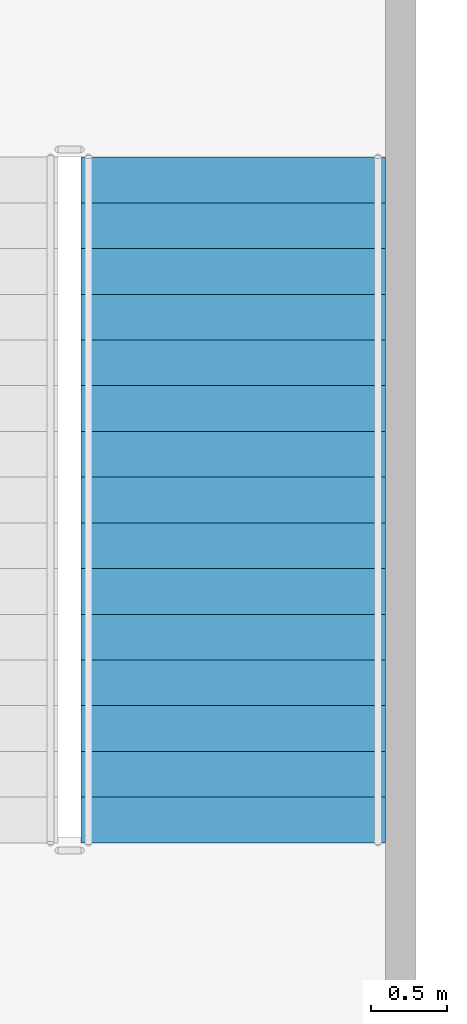
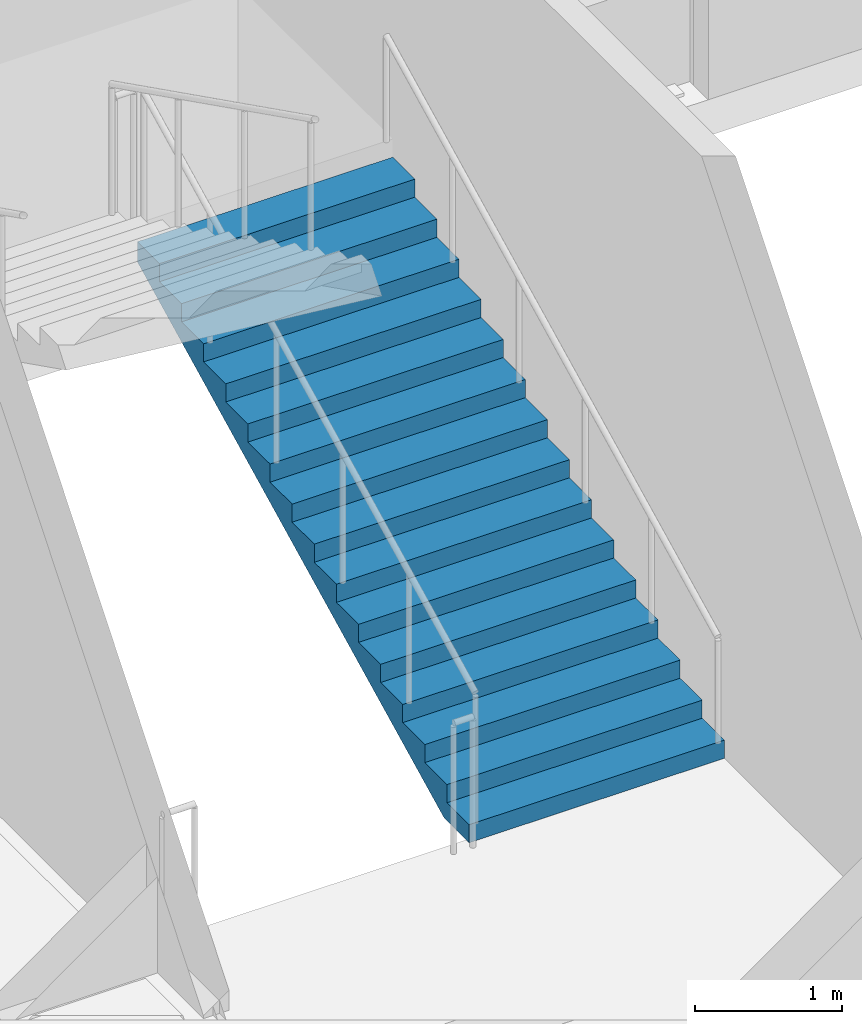
# One storey, part 43 of 91: 1 stair flight, 1 element without a shape of its own.
"""IFC4 building model written with IfcOpenShell, lengths in metres."""

from ifc_helpers import new_model, si_unit, direction, frame, origin, place, context, subcontext, project, spatial, faceted_brep, material, type_object, element, aggregate, save


model = new_model("IFC4")

# Units and contexts
model_context = context("Model", 3, precision=1e-05, world=origin(), true_north=direction((0.0, 1.0)))
body_context = subcontext(model_context, "Body", "Model", "MODEL_VIEW")
ifc_project = project(units=[si_unit("LENGTHUNIT", "METRE"), si_unit("AREAUNIT", "SQUARE_METRE"), si_unit("VOLUMEUNIT", "CUBIC_METRE"), si_unit("PLANEANGLEUNIT", "RADIAN"), si_unit("MASSUNIT", "GRAM", prefix="KILO")], contexts=[model_context])

# Site, building, storey
site_placement = place(None, origin())
site = spatial("IfcSite", under=ifc_project, at=site_placement, CompositionType="ELEMENT")
building_placement = place(site_placement, origin())
building = spatial("IfcBuilding", under=site, at=building_placement, Name="Kiln Court Media Centre", CompositionType="ELEMENT")
storey_placement = place(building_placement, frame((0.0, 0.0, 5.39990234375)))
storey = spatial("IfcBuildingStorey", under=building, at=storey_placement, Name="L01", CompositionType="ELEMENT", Elevation=5.39990234375)

# Stair, stair flight
ifc_material_1 = material(Name="Concrete C40/50", Category="concrete")
stair_type = type_object("IfcStairType", Name="Concrete C40/50 dog-leg stair 2000 wide, 150 riser", PredefinedType="HALF_TURN_STAIR", material=ifc_material_1)
stair_placement = place(storey_placement, origin())
stair = element("IfcStair", 1, at=stair_placement, inside=storey, type_object=stair_type, Name="ST-05 L01", PredefinedType="HALF_TURN_STAIR")
ifc_material_2 = material(Name="Concrete C40/50", Category="concrete")
stair_flight_type = type_object("IfcStairFlightType", Name="Concrete C40/50 stair flight 2000 wide, 150 riser, 300 going", PredefinedType="STRAIGHT", material=ifc_material_2)
stair_flight_placement = place(storey_placement, frame((57.60009765625, 18.39990234375, 0.0), z_axis=(0.0, 0.0, 1.0), x_axis=(0.0, 1.0, 0.0)))
stair_flight = element("IfcStairFlight", 2, at=stair_flight_placement, type_object=stair_flight_type, Name="L01-ST-5004 flight 5008", NumberOfRisers=16, NumberOfTreads=15, PredefinedType="STRAIGHT", RiserHeight=0.15, TreadLength=0.3, context=body_context, shape_type="Brep", body=[
    faceted_brep([(0.335205078125, -1.0, 0.0), (4.5, -1.0, 2.08251953125), (4.5, -1.0, 2.25), (4.199951171875, -1.0, 2.25), (4.199951171875, -1.0, 2.10009765625), (3.89990234375, -1.0, 2.10009765625), (3.89990234375, -1.0, 1.949951171875), (3.60009765625, -1.0, 1.949951171875), (3.60009765625, -1.0, 1.800048828125), (3.300048828125, -1.0, 1.800048828125), (3.300048828125, -1.0, 1.64990234375), (3.0, -1.0, 1.64990234375), (3.0, -1.0, 1.5), (2.699951171875, -1.0, 1.5), (2.699951171875, -1.0, 1.35009765625), (2.39990234375, -1.0, 1.35009765625), (2.39990234375, -1.0, 1.199951171875), (2.10009765625, -1.0, 1.199951171875), (2.10009765625, -1.0, 1.050048828125), (1.800048828125, -1.0, 1.050048828125), (1.800048828125, -1.0, 0.89990234375), (1.5, -1.0, 0.89990234375), (1.5, -1.0, 0.75), (1.199951171875, -1.0, 0.75), (1.199951171875, -1.0, 0.60009765625), (0.89990234375, -1.0, 0.60009765625), (0.89990234375, -1.0, 0.449951171875), (0.60009765625, -1.0, 0.449951171875), (0.60009765625, -1.0, 0.300048828125), (0.300048828125, -1.0, 0.300048828125), (0.300048828125, -1.0, 0.14990234375), (0.0, -1.0, 0.14990234375), (0.0, -1.0, 0.0), (0.0, 1.0, 0.0), (0.0, 1.0, 0.14990234375), (0.300048828125, 1.0, 0.14990234375), (0.300048828125, 1.0, 0.300048828125), (0.60009765625, 1.0, 0.300048828125), (0.60009765625, 1.0, 0.449951171875), (0.89990234375, 1.0, 0.449951171875), (0.89990234375, 1.0, 0.60009765625), (1.199951171875, 1.0, 0.60009765625), (1.199951171875, 1.0, 0.75), (1.5, 1.0, 0.75), (1.5, 1.0, 0.89990234375), (1.800048828125, 1.0, 0.89990234375), (1.800048828125, 1.0, 1.050048828125), (2.10009765625, 1.0, 1.050048828125), (2.10009765625, 1.0, 1.199951171875), (2.39990234375, 1.0, 1.199951171875), (2.39990234375, 1.0, 1.35009765625), (2.699951171875, 1.0, 1.35009765625), (2.699951171875, 1.0, 1.5), (3.0, 1.0, 1.5), (3.0, 1.0, 1.64990234375), (3.300048828125, 1.0, 1.64990234375), (3.300048828125, 1.0, 1.800048828125), (3.60009765625, 1.0, 1.800048828125), (3.60009765625, 1.0, 1.949951171875), (3.89990234375, 1.0, 1.949951171875), (3.89990234375, 1.0, 2.10009765625), (4.199951171875, 1.0, 2.10009765625), (4.199951171875, 1.0, 2.25), (4.5, 1.0, 2.25), (4.5, 1.0, 2.08251953125), (0.335205078125, 1.0, 0.0), (4.5, 0.10009765625, 2.08251953125), (0.335205078125, 0.10009765625, 0.0), (4.5, 0.080078125, 2.08251953125), (0.335205078125, 0.080078125, 0.0), (4.5, 0.06005859375, 2.08251953125), (0.335205078125, 0.06005859375, 0.0), (4.5, 0.0400390625, 2.08251953125), (0.335205078125, 0.0400390625, 0.0), (4.5, 0.02001953125, 2.08251953125), (0.335205078125, 0.02001953125, 0.0), (4.5, 0.0, 2.08251953125), (0.335205078125, 0.0, 0.0), (4.5, -0.02001953125, 2.08251953125), (0.335205078125, -0.02001953125, 0.0), (4.5, -0.0400390625, 2.08251953125), (0.335205078125, -0.0400390625, 0.0), (4.5, -0.06005859375, 2.08251953125), (0.335205078125, -0.06005859375, 0.0), (4.5, -0.080078125, 2.08251953125), (0.335205078125, -0.080078125, 0.0), (4.5, -0.10009765625, 2.08251953125), (0.335205078125, -0.10009765625, 0.0), (4.5, 0.10009765625, 2.25), (4.5, 0.080078125, 2.25), (4.5, 0.06005859375, 2.25), (4.5, 0.0400390625, 2.25), (4.5, 0.02001953125, 2.25), (4.5, 0.0, 2.25), (4.5, -0.02001953125, 2.25), (4.5, -0.0400390625, 2.25), (4.5, -0.06005859375, 2.25), (4.5, -0.080078125, 2.25), (4.5, -0.10009765625, 2.25), (4.199951171875, 0.10009765625, 2.25), (4.199951171875, 0.080078125, 2.25), (4.199951171875, 0.06005859375, 2.25), (4.199951171875, 0.0400390625, 2.25), (4.199951171875, 0.02001953125, 2.25), (4.199951171875, 0.0, 2.25), (4.199951171875, -0.02001953125, 2.25), (4.199951171875, -0.0400390625, 2.25), (4.199951171875, -0.06005859375, 2.25), (4.199951171875, -0.080078125, 2.25), (4.199951171875, -0.10009765625, 2.25), (4.199951171875, 0.10009765625, 2.10009765625), (4.199951171875, 0.080078125, 2.10009765625), (4.199951171875, 0.06005859375, 2.10009765625), (4.199951171875, 0.0400390625, 2.10009765625), (4.199951171875, 0.02001953125, 2.10009765625), (4.199951171875, 0.0, 2.10009765625), (4.199951171875, -0.02001953125, 2.10009765625), (4.199951171875, -0.0400390625, 2.10009765625), (4.199951171875, -0.06005859375, 2.10009765625), (4.199951171875, -0.080078125, 2.10009765625), (4.199951171875, -0.10009765625, 2.10009765625), (3.89990234375, 0.10009765625, 2.10009765625), (3.89990234375, 0.080078125, 2.10009765625), (3.89990234375, 0.06005859375, 2.10009765625), (3.89990234375, 0.0400390625, 2.10009765625), (3.89990234375, 0.02001953125, 2.10009765625), (3.89990234375, 0.0, 2.10009765625), (3.89990234375, -0.02001953125, 2.10009765625), (3.89990234375, -0.0400390625, 2.10009765625), (3.89990234375, -0.06005859375, 2.10009765625), (3.89990234375, -0.080078125, 2.10009765625), (3.89990234375, -0.10009765625, 2.10009765625), (3.89990234375, 0.10009765625, 1.949951171875), (3.89990234375, 0.080078125, 1.949951171875), (3.89990234375, 0.06005859375, 1.949951171875), (3.89990234375, 0.0400390625, 1.949951171875), (3.89990234375, 0.02001953125, 1.949951171875), (3.89990234375, 0.0, 1.949951171875), (3.89990234375, -0.02001953125, 1.949951171875), (3.89990234375, -0.0400390625, 1.949951171875), (3.89990234375, -0.06005859375, 1.949951171875), (3.89990234375, -0.080078125, 1.949951171875), (3.89990234375, -0.10009765625, 1.949951171875), (3.60009765625, 0.10009765625, 1.949951171875), (3.60009765625, 0.080078125, 1.949951171875), (3.60009765625, 0.06005859375, 1.949951171875), (3.60009765625, 0.0400390625, 1.949951171875), (3.60009765625, 0.02001953125, 1.949951171875), (3.60009765625, 0.0, 1.949951171875), (3.60009765625, -0.02001953125, 1.949951171875), (3.60009765625, -0.0400390625, 1.949951171875), (3.60009765625, -0.06005859375, 1.949951171875), (3.60009765625, -0.080078125, 1.949951171875), (3.60009765625, -0.10009765625, 1.949951171875), (3.60009765625, 0.10009765625, 1.800048828125), (3.60009765625, 0.080078125, 1.800048828125), (3.60009765625, 0.06005859375, 1.800048828125), (3.60009765625, 0.0400390625, 1.800048828125), (3.60009765625, 0.02001953125, 1.800048828125), (3.60009765625, 0.0, 1.800048828125), (3.60009765625, -0.02001953125, 1.800048828125), (3.60009765625, -0.0400390625, 1.800048828125), (3.60009765625, -0.06005859375, 1.800048828125), (3.60009765625, -0.080078125, 1.800048828125), (3.60009765625, -0.10009765625, 1.800048828125), (3.300048828125, 0.10009765625, 1.800048828125), (3.300048828125, 0.080078125, 1.800048828125), (3.300048828125, 0.06005859375, 1.800048828125), (3.300048828125, 0.0400390625, 1.800048828125), (3.300048828125, 0.02001953125, 1.800048828125), (3.300048828125, 0.0, 1.800048828125), (3.300048828125, -0.02001953125, 1.800048828125), (3.300048828125, -0.0400390625, 1.800048828125), (3.300048828125, -0.06005859375, 1.800048828125), (3.300048828125, -0.080078125, 1.800048828125), (3.300048828125, -0.10009765625, 1.800048828125), (3.300048828125, 0.10009765625, 1.64990234375), (3.300048828125, 0.080078125, 1.64990234375), (3.300048828125, 0.06005859375, 1.64990234375), (3.300048828125, 0.0400390625, 1.64990234375), (3.300048828125, 0.02001953125, 1.64990234375), (3.300048828125, 0.0, 1.64990234375), (3.300048828125, -0.02001953125, 1.64990234375), (3.300048828125, -0.0400390625, 1.64990234375), (3.300048828125, -0.06005859375, 1.64990234375), (3.300048828125, -0.080078125, 1.64990234375), (3.300048828125, -0.10009765625, 1.64990234375), (3.0, 0.10009765625, 1.64990234375), (3.0, 0.080078125, 1.64990234375), (3.0, 0.06005859375, 1.64990234375), (3.0, 0.0400390625, 1.64990234375), (3.0, 0.02001953125, 1.64990234375), (3.0, 0.0, 1.64990234375), (3.0, -0.02001953125, 1.64990234375), (3.0, -0.0400390625, 1.64990234375), (3.0, -0.06005859375, 1.64990234375), (3.0, -0.080078125, 1.64990234375), (3.0, -0.10009765625, 1.64990234375), (3.0, 0.10009765625, 1.5), (3.0, 0.080078125, 1.5), (3.0, 0.06005859375, 1.5), (3.0, 0.0400390625, 1.5), (3.0, 0.02001953125, 1.5), (3.0, 0.0, 1.5), (3.0, -0.02001953125, 1.5), (3.0, -0.0400390625, 1.5), (3.0, -0.06005859375, 1.5), (3.0, -0.080078125, 1.5), (3.0, -0.10009765625, 1.5), (2.699951171875, 0.10009765625, 1.5), (2.699951171875, 0.080078125, 1.5), (2.699951171875, 0.06005859375, 1.5), (2.699951171875, 0.0400390625, 1.5), (2.699951171875, 0.02001953125, 1.5), (2.699951171875, 0.0, 1.5), (2.699951171875, -0.02001953125, 1.5), (2.699951171875, -0.0400390625, 1.5), (2.699951171875, -0.06005859375, 1.5), (2.699951171875, -0.080078125, 1.5), (2.699951171875, -0.10009765625, 1.5), (2.699951171875, 0.10009765625, 1.35009765625), (2.699951171875, 0.080078125, 1.35009765625), (2.699951171875, 0.06005859375, 1.35009765625), (2.699951171875, 0.0400390625, 1.35009765625), (2.699951171875, 0.02001953125, 1.35009765625), (2.699951171875, 0.0, 1.35009765625), (2.699951171875, -0.02001953125, 1.35009765625), (2.699951171875, -0.0400390625, 1.35009765625), (2.699951171875, -0.06005859375, 1.35009765625), (2.699951171875, -0.080078125, 1.35009765625), (2.699951171875, -0.10009765625, 1.35009765625), (2.39990234375, 0.10009765625, 1.35009765625), (2.39990234375, 0.080078125, 1.35009765625), (2.39990234375, 0.06005859375, 1.35009765625), (2.39990234375, 0.0400390625, 1.35009765625), (2.39990234375, 0.02001953125, 1.35009765625), (2.39990234375, 0.0, 1.35009765625), (2.39990234375, -0.02001953125, 1.35009765625), (2.39990234375, -0.0400390625, 1.35009765625), (2.39990234375, -0.06005859375, 1.35009765625), (2.39990234375, -0.080078125, 1.35009765625), (2.39990234375, -0.10009765625, 1.35009765625), (2.39990234375, 0.10009765625, 1.199951171875), (2.39990234375, 0.080078125, 1.199951171875), (2.39990234375, 0.06005859375, 1.199951171875), (2.39990234375, 0.0400390625, 1.199951171875), (2.39990234375, 0.02001953125, 1.199951171875), (2.39990234375, 0.0, 1.199951171875), (2.39990234375, -0.02001953125, 1.199951171875), (2.39990234375, -0.0400390625, 1.199951171875), (2.39990234375, -0.06005859375, 1.199951171875), (2.39990234375, -0.080078125, 1.199951171875), (2.39990234375, -0.10009765625, 1.199951171875), (2.10009765625, 0.10009765625, 1.199951171875), (2.10009765625, 0.080078125, 1.199951171875), (2.10009765625, 0.06005859375, 1.199951171875), (2.10009765625, 0.0400390625, 1.199951171875), (2.10009765625, 0.02001953125, 1.199951171875), (2.10009765625, 0.0, 1.199951171875), (2.10009765625, -0.02001953125, 1.199951171875), (2.10009765625, -0.0400390625, 1.199951171875), (2.10009765625, -0.06005859375, 1.199951171875), (2.10009765625, -0.080078125, 1.199951171875), (2.10009765625, -0.10009765625, 1.199951171875), (2.10009765625, 0.10009765625, 1.050048828125), (2.10009765625, 0.080078125, 1.050048828125), (2.10009765625, 0.06005859375, 1.050048828125), (2.10009765625, 0.0400390625, 1.050048828125), (2.10009765625, 0.02001953125, 1.050048828125), (2.10009765625, 0.0, 1.050048828125), (2.10009765625, -0.02001953125, 1.050048828125), (2.10009765625, -0.0400390625, 1.050048828125), (2.10009765625, -0.06005859375, 1.050048828125), (2.10009765625, -0.080078125, 1.050048828125), (2.10009765625, -0.10009765625, 1.050048828125), (1.800048828125, 0.10009765625, 1.050048828125), (1.800048828125, 0.080078125, 1.050048828125), (1.800048828125, 0.06005859375, 1.050048828125), (1.800048828125, 0.0400390625, 1.050048828125), (1.800048828125, 0.02001953125, 1.050048828125), (1.800048828125, 0.0, 1.050048828125), (1.800048828125, -0.02001953125, 1.050048828125), (1.800048828125, -0.0400390625, 1.050048828125), (1.800048828125, -0.06005859375, 1.050048828125), (1.800048828125, -0.080078125, 1.050048828125), (1.800048828125, -0.10009765625, 1.050048828125), (1.800048828125, 0.10009765625, 0.89990234375), (1.800048828125, 0.080078125, 0.89990234375), (1.800048828125, 0.06005859375, 0.89990234375), (1.800048828125, 0.0400390625, 0.89990234375), (1.800048828125, 0.02001953125, 0.89990234375), (1.800048828125, 0.0, 0.89990234375), (1.800048828125, -0.02001953125, 0.89990234375), (1.800048828125, -0.0400390625, 0.89990234375), (1.800048828125, -0.06005859375, 0.89990234375), (1.800048828125, -0.080078125, 0.89990234375), (1.800048828125, -0.10009765625, 0.89990234375), (1.5, 0.10009765625, 0.89990234375), (1.5, 0.080078125, 0.89990234375), (1.5, 0.06005859375, 0.89990234375), (1.5, 0.0400390625, 0.89990234375), (1.5, 0.02001953125, 0.89990234375), (1.5, 0.0, 0.89990234375), (1.5, -0.02001953125, 0.89990234375), (1.5, -0.0400390625, 0.89990234375), (1.5, -0.06005859375, 0.89990234375), (1.5, -0.080078125, 0.89990234375), (1.5, -0.10009765625, 0.89990234375), (1.5, 0.10009765625, 0.75), (1.5, 0.080078125, 0.75), (1.5, 0.06005859375, 0.75), (1.5, 0.0400390625, 0.75), (1.5, 0.02001953125, 0.75), (1.5, 0.0, 0.75), (1.5, -0.02001953125, 0.75), (1.5, -0.0400390625, 0.75), (1.5, -0.06005859375, 0.75), (1.5, -0.080078125, 0.75), (1.5, -0.10009765625, 0.75), (1.199951171875, 0.10009765625, 0.75), (1.199951171875, 0.080078125, 0.75), (1.199951171875, 0.06005859375, 0.75), (1.199951171875, 0.0400390625, 0.75), (1.199951171875, 0.02001953125, 0.75), (1.199951171875, 0.0, 0.75), (1.199951171875, -0.02001953125, 0.75), (1.199951171875, -0.0400390625, 0.75), (1.199951171875, -0.06005859375, 0.75), (1.199951171875, -0.080078125, 0.75), (1.199951171875, -0.10009765625, 0.75), (1.199951171875, 0.10009765625, 0.60009765625), (1.199951171875, 0.080078125, 0.60009765625), (1.199951171875, 0.06005859375, 0.60009765625), (1.199951171875, 0.0400390625, 0.60009765625), (1.199951171875, 0.02001953125, 0.60009765625), (1.199951171875, 0.0, 0.60009765625), (1.199951171875, -0.02001953125, 0.60009765625), (1.199951171875, -0.0400390625, 0.60009765625), (1.199951171875, -0.06005859375, 0.60009765625), (1.199951171875, -0.080078125, 0.60009765625), (1.199951171875, -0.10009765625, 0.60009765625), (0.89990234375, 0.10009765625, 0.60009765625), (0.89990234375, 0.080078125, 0.60009765625), (0.89990234375, 0.06005859375, 0.60009765625), (0.89990234375, 0.0400390625, 0.60009765625), (0.89990234375, 0.02001953125, 0.60009765625), (0.89990234375, 0.0, 0.60009765625), (0.89990234375, -0.02001953125, 0.60009765625), (0.89990234375, -0.0400390625, 0.60009765625), (0.89990234375, -0.06005859375, 0.60009765625), (0.89990234375, -0.080078125, 0.60009765625), (0.89990234375, -0.10009765625, 0.60009765625), (0.89990234375, 0.10009765625, 0.449951171875), (0.89990234375, 0.080078125, 0.449951171875), (0.89990234375, 0.06005859375, 0.449951171875), (0.89990234375, 0.0400390625, 0.449951171875), (0.89990234375, 0.02001953125, 0.449951171875), (0.89990234375, 0.0, 0.449951171875), (0.89990234375, -0.02001953125, 0.449951171875), (0.89990234375, -0.0400390625, 0.449951171875), (0.89990234375, -0.06005859375, 0.449951171875), (0.89990234375, -0.080078125, 0.449951171875), (0.89990234375, -0.10009765625, 0.449951171875), (0.60009765625, 0.10009765625, 0.449951171875), (0.60009765625, 0.080078125, 0.449951171875), (0.60009765625, 0.06005859375, 0.449951171875), (0.60009765625, 0.0400390625, 0.449951171875), (0.60009765625, 0.02001953125, 0.449951171875), (0.60009765625, 0.0, 0.449951171875), (0.60009765625, -0.02001953125, 0.449951171875), (0.60009765625, -0.0400390625, 0.449951171875), (0.60009765625, -0.06005859375, 0.449951171875), (0.60009765625, -0.080078125, 0.449951171875), (0.60009765625, -0.10009765625, 0.449951171875), (0.60009765625, 0.10009765625, 0.300048828125), (0.60009765625, 0.080078125, 0.300048828125), (0.60009765625, 0.06005859375, 0.300048828125), (0.60009765625, 0.0400390625, 0.300048828125), (0.60009765625, 0.02001953125, 0.300048828125), (0.60009765625, 0.0, 0.300048828125), (0.60009765625, -0.02001953125, 0.300048828125), (0.60009765625, -0.0400390625, 0.300048828125), (0.60009765625, -0.06005859375, 0.300048828125), (0.60009765625, -0.080078125, 0.300048828125), (0.60009765625, -0.10009765625, 0.300048828125), (0.300048828125, 0.10009765625, 0.300048828125), (0.300048828125, 0.080078125, 0.300048828125), (0.300048828125, 0.06005859375, 0.300048828125), (0.300048828125, 0.0400390625, 0.300048828125), (0.300048828125, 0.02001953125, 0.300048828125), (0.300048828125, 0.0, 0.300048828125), (0.300048828125, -0.02001953125, 0.300048828125), (0.300048828125, -0.0400390625, 0.300048828125), (0.300048828125, -0.06005859375, 0.300048828125), (0.300048828125, -0.080078125, 0.300048828125), (0.300048828125, -0.10009765625, 0.300048828125), (0.300048828125, 0.10009765625, 0.14990234375), (0.300048828125, 0.080078125, 0.14990234375), (0.300048828125, 0.06005859375, 0.14990234375), (0.300048828125, 0.0400390625, 0.14990234375), (0.300048828125, 0.02001953125, 0.14990234375), (0.300048828125, 0.0, 0.14990234375), (0.300048828125, -0.02001953125, 0.14990234375), (0.300048828125, -0.0400390625, 0.14990234375), (0.300048828125, -0.06005859375, 0.14990234375), (0.300048828125, -0.080078125, 0.14990234375), (0.300048828125, -0.10009765625, 0.14990234375), (0.0, 0.10009765625, 0.14990234375), (0.0, 0.080078125, 0.14990234375), (0.0, 0.06005859375, 0.14990234375), (0.0, 0.0400390625, 0.14990234375), (0.0, 0.02001953125, 0.14990234375), (0.0, 0.0, 0.14990234375), (0.0, -0.02001953125, 0.14990234375), (0.0, -0.0400390625, 0.14990234375), (0.0, -0.06005859375, 0.14990234375), (0.0, -0.080078125, 0.14990234375), (0.0, -0.10009765625, 0.14990234375), (0.0, 0.10009765625, 0.0), (0.0, 0.080078125, 0.0), (0.0, 0.06005859375, 0.0), (0.0, 0.0400390625, 0.0), (0.0, 0.02001953125, 0.0), (0.0, 0.0, 0.0), (0.0, -0.02001953125, 0.0), (0.0, -0.0400390625, 0.0), (0.0, -0.06005859375, 0.0), (0.0, -0.080078125, 0.0), (0.0, -0.10009765625, 0.0)], [[[0, 1, 2, 3, 4, 5, 6, 7, 8, 9, 10, 11, 12, 13, 14, 15, 16, 17, 18, 19, 20, 21, 22, 23, 24, 25, 26, 27, 28, 29, 30, 31, 32]], [[33, 34, 35, 36, 37, 38, 39, 40, 41, 42, 43, 44, 45, 46, 47, 48, 49, 50, 51, 52, 53, 54, 55, 56, 57, 58, 59, 60, 61, 62, 63, 64, 65]], [[65, 64, 66, 67]], [[67, 66, 68, 69]], [[69, 68, 70, 71]], [[71, 70, 72, 73]], [[73, 72, 74, 75]], [[75, 74, 76, 77]], [[77, 76, 78, 79]], [[79, 78, 80, 81]], [[81, 80, 82, 83]], [[83, 82, 84, 85]], [[85, 84, 86, 87]], [[87, 86, 1, 0]], [[64, 63, 88, 66]], [[66, 88, 89, 68]], [[68, 89, 90, 70]], [[70, 90, 91, 72]], [[72, 91, 92, 74]], [[74, 92, 93, 76]], [[76, 93, 94, 78]], [[78, 94, 95, 80]], [[80, 95, 96, 82]], [[82, 96, 97, 84]], [[84, 97, 98, 86]], [[86, 98, 2, 1]], [[63, 62, 99, 88]], [[88, 99, 100, 89]], [[89, 100, 101, 90]], [[90, 101, 102, 91]], [[91, 102, 103, 92]], [[92, 103, 104, 93]], [[93, 104, 105, 94]], [[94, 105, 106, 95]], [[95, 106, 107, 96]], [[96, 107, 108, 97]], [[97, 108, 109, 98]], [[98, 109, 3, 2]], [[62, 61, 110, 99]], [[99, 110, 111, 100]], [[100, 111, 112, 101]], [[101, 112, 113, 102]], [[102, 113, 114, 103]], [[103, 114, 115, 104]], [[104, 115, 116, 105]], [[105, 116, 117, 106]], [[106, 117, 118, 107]], [[107, 118, 119, 108]], [[108, 119, 120, 109]], [[109, 120, 4, 3]], [[61, 60, 121, 110]], [[110, 121, 122, 111]], [[111, 122, 123, 112]], [[112, 123, 124, 113]], [[113, 124, 125, 114]], [[114, 125, 126, 115]], [[115, 126, 127, 116]], [[116, 127, 128, 117]], [[117, 128, 129, 118]], [[118, 129, 130, 119]], [[119, 130, 131, 120]], [[120, 131, 5, 4]], [[60, 59, 132, 121]], [[121, 132, 133, 122]], [[122, 133, 134, 123]], [[123, 134, 135, 124]], [[124, 135, 136, 125]], [[125, 136, 137, 126]], [[126, 137, 138, 127]], [[127, 138, 139, 128]], [[128, 139, 140, 129]], [[129, 140, 141, 130]], [[130, 141, 142, 131]], [[131, 142, 6, 5]], [[59, 58, 143, 132]], [[132, 143, 144, 133]], [[133, 144, 145, 134]], [[134, 145, 146, 135]], [[135, 146, 147, 136]], [[136, 147, 148, 137]], [[137, 148, 149, 138]], [[138, 149, 150, 139]], [[139, 150, 151, 140]], [[140, 151, 152, 141]], [[141, 152, 153, 142]], [[142, 153, 7, 6]], [[58, 57, 154, 143]], [[143, 154, 155, 144]], [[144, 155, 156, 145]], [[145, 156, 157, 146]], [[146, 157, 158, 147]], [[147, 158, 159, 148]], [[148, 159, 160, 149]], [[149, 160, 161, 150]], [[150, 161, 162, 151]], [[151, 162, 163, 152]], [[152, 163, 164, 153]], [[153, 164, 8, 7]], [[57, 56, 165, 154]], [[154, 165, 166, 155]], [[155, 166, 167, 156]], [[156, 167, 168, 157]], [[157, 168, 169, 158]], [[158, 169, 170, 159]], [[159, 170, 171, 160]], [[160, 171, 172, 161]], [[161, 172, 173, 162]], [[162, 173, 174, 163]], [[163, 174, 175, 164]], [[164, 175, 9, 8]], [[56, 55, 176, 165]], [[165, 176, 177, 166]], [[166, 177, 178, 167]], [[167, 178, 179, 168]], [[168, 179, 180, 169]], [[169, 180, 181, 170]], [[170, 181, 182, 171]], [[171, 182, 183, 172]], [[172, 183, 184, 173]], [[173, 184, 185, 174]], [[174, 185, 186, 175]], [[175, 186, 10, 9]], [[55, 54, 187, 176]], [[176, 187, 188, 177]], [[177, 188, 189, 178]], [[178, 189, 190, 179]], [[179, 190, 191, 180]], [[180, 191, 192, 181]], [[181, 192, 193, 182]], [[182, 193, 194, 183]], [[183, 194, 195, 184]], [[184, 195, 196, 185]], [[185, 196, 197, 186]], [[186, 197, 11, 10]], [[54, 53, 198, 187]], [[187, 198, 199, 188]], [[188, 199, 200, 189]], [[189, 200, 201, 190]], [[190, 201, 202, 191]], [[191, 202, 203, 192]], [[192, 203, 204, 193]], [[193, 204, 205, 194]], [[194, 205, 206, 195]], [[195, 206, 207, 196]], [[196, 207, 208, 197]], [[197, 208, 12, 11]], [[53, 52, 209, 198]], [[198, 209, 210, 199]], [[199, 210, 211, 200]], [[200, 211, 212, 201]], [[201, 212, 213, 202]], [[202, 213, 214, 203]], [[203, 214, 215, 204]], [[204, 215, 216, 205]], [[205, 216, 217, 206]], [[206, 217, 218, 207]], [[207, 218, 219, 208]], [[208, 219, 13, 12]], [[52, 51, 220, 209]], [[209, 220, 221, 210]], [[210, 221, 222, 211]], [[211, 222, 223, 212]], [[212, 223, 224, 213]], [[213, 224, 225, 214]], [[214, 225, 226, 215]], [[215, 226, 227, 216]], [[216, 227, 228, 217]], [[217, 228, 229, 218]], [[218, 229, 230, 219]], [[219, 230, 14, 13]], [[51, 50, 231, 220]], [[220, 231, 232, 221]], [[221, 232, 233, 222]], [[222, 233, 234, 223]], [[223, 234, 235, 224]], [[224, 235, 236, 225]], [[225, 236, 237, 226]], [[226, 237, 238, 227]], [[227, 238, 239, 228]], [[228, 239, 240, 229]], [[229, 240, 241, 230]], [[230, 241, 15, 14]], [[50, 49, 242, 231]], [[231, 242, 243, 232]], [[232, 243, 244, 233]], [[233, 244, 245, 234]], [[234, 245, 246, 235]], [[235, 246, 247, 236]], [[236, 247, 248, 237]], [[237, 248, 249, 238]], [[238, 249, 250, 239]], [[239, 250, 251, 240]], [[240, 251, 252, 241]], [[241, 252, 16, 15]], [[49, 48, 253, 242]], [[242, 253, 254, 243]], [[243, 254, 255, 244]], [[244, 255, 256, 245]], [[245, 256, 257, 246]], [[246, 257, 258, 247]], [[247, 258, 259, 248]], [[248, 259, 260, 249]], [[249, 260, 261, 250]], [[250, 261, 262, 251]], [[251, 262, 263, 252]], [[252, 263, 17, 16]], [[48, 47, 264, 253]], [[253, 264, 265, 254]], [[254, 265, 266, 255]], [[255, 266, 267, 256]], [[256, 267, 268, 257]], [[257, 268, 269, 258]], [[258, 269, 270, 259]], [[259, 270, 271, 260]], [[260, 271, 272, 261]], [[261, 272, 273, 262]], [[262, 273, 274, 263]], [[263, 274, 18, 17]], [[47, 46, 275, 264]], [[264, 275, 276, 265]], [[265, 276, 277, 266]], [[266, 277, 278, 267]], [[267, 278, 279, 268]], [[268, 279, 280, 269]], [[269, 280, 281, 270]], [[270, 281, 282, 271]], [[271, 282, 283, 272]], [[272, 283, 284, 273]], [[273, 284, 285, 274]], [[274, 285, 19, 18]], [[46, 45, 286, 275]], [[275, 286, 287, 276]], [[276, 287, 288, 277]], [[277, 288, 289, 278]], [[278, 289, 290, 279]], [[279, 290, 291, 280]], [[280, 291, 292, 281]], [[281, 292, 293, 282]], [[282, 293, 294, 283]], [[283, 294, 295, 284]], [[284, 295, 296, 285]], [[285, 296, 20, 19]], [[45, 44, 297, 286]], [[286, 297, 298, 287]], [[287, 298, 299, 288]], [[288, 299, 300, 289]], [[289, 300, 301, 290]], [[290, 301, 302, 291]], [[291, 302, 303, 292]], [[292, 303, 304, 293]], [[293, 304, 305, 294]], [[294, 305, 306, 295]], [[295, 306, 307, 296]], [[296, 307, 21, 20]], [[44, 43, 308, 297]], [[297, 308, 309, 298]], [[298, 309, 310, 299]], [[299, 310, 311, 300]], [[300, 311, 312, 301]], [[301, 312, 313, 302]], [[302, 313, 314, 303]], [[303, 314, 315, 304]], [[304, 315, 316, 305]], [[305, 316, 317, 306]], [[306, 317, 318, 307]], [[307, 318, 22, 21]], [[43, 42, 319, 308]], [[308, 319, 320, 309]], [[309, 320, 321, 310]], [[310, 321, 322, 311]], [[311, 322, 323, 312]], [[312, 323, 324, 313]], [[313, 324, 325, 314]], [[314, 325, 326, 315]], [[315, 326, 327, 316]], [[316, 327, 328, 317]], [[317, 328, 329, 318]], [[318, 329, 23, 22]], [[42, 41, 330, 319]], [[319, 330, 331, 320]], [[320, 331, 332, 321]], [[321, 332, 333, 322]], [[322, 333, 334, 323]], [[323, 334, 335, 324]], [[324, 335, 336, 325]], [[325, 336, 337, 326]], [[326, 337, 338, 327]], [[327, 338, 339, 328]], [[328, 339, 340, 329]], [[329, 340, 24, 23]], [[41, 40, 341, 330]], [[330, 341, 342, 331]], [[331, 342, 343, 332]], [[332, 343, 344, 333]], [[333, 344, 345, 334]], [[334, 345, 346, 335]], [[335, 346, 347, 336]], [[336, 347, 348, 337]], [[337, 348, 349, 338]], [[338, 349, 350, 339]], [[339, 350, 351, 340]], [[340, 351, 25, 24]], [[40, 39, 352, 341]], [[341, 352, 353, 342]], [[342, 353, 354, 343]], [[343, 354, 355, 344]], [[344, 355, 356, 345]], [[345, 356, 357, 346]], [[346, 357, 358, 347]], [[347, 358, 359, 348]], [[348, 359, 360, 349]], [[349, 360, 361, 350]], [[350, 361, 362, 351]], [[351, 362, 26, 25]], [[39, 38, 363, 352]], [[352, 363, 364, 353]], [[353, 364, 365, 354]], [[354, 365, 366, 355]], [[355, 366, 367, 356]], [[356, 367, 368, 357]], [[357, 368, 369, 358]], [[358, 369, 370, 359]], [[359, 370, 371, 360]], [[360, 371, 372, 361]], [[361, 372, 373, 362]], [[362, 373, 27, 26]], [[38, 37, 374, 363]], [[363, 374, 375, 364]], [[364, 375, 376, 365]], [[365, 376, 377, 366]], [[366, 377, 378, 367]], [[367, 378, 379, 368]], [[368, 379, 380, 369]], [[369, 380, 381, 370]], [[370, 381, 382, 371]], [[371, 382, 383, 372]], [[372, 383, 384, 373]], [[373, 384, 28, 27]], [[37, 36, 385, 374]], [[374, 385, 386, 375]], [[375, 386, 387, 376]], [[376, 387, 388, 377]], [[377, 388, 389, 378]], [[378, 389, 390, 379]], [[379, 390, 391, 380]], [[380, 391, 392, 381]], [[381, 392, 393, 382]], [[382, 393, 394, 383]], [[383, 394, 395, 384]], [[384, 395, 29, 28]], [[36, 35, 396, 385]], [[385, 396, 397, 386]], [[386, 397, 398, 387]], [[387, 398, 399, 388]], [[388, 399, 400, 389]], [[389, 400, 401, 390]], [[390, 401, 402, 391]], [[391, 402, 403, 392]], [[392, 403, 404, 393]], [[393, 404, 405, 394]], [[394, 405, 406, 395]], [[395, 406, 30, 29]], [[35, 34, 407, 396]], [[396, 407, 408, 397]], [[397, 408, 409, 398]], [[398, 409, 410, 399]], [[399, 410, 411, 400]], [[400, 411, 412, 401]], [[401, 412, 413, 402]], [[402, 413, 414, 403]], [[403, 414, 415, 404]], [[404, 415, 416, 405]], [[405, 416, 417, 406]], [[406, 417, 31, 30]], [[34, 33, 418, 407]], [[407, 418, 419, 408]], [[408, 419, 420, 409]], [[409, 420, 421, 410]], [[410, 421, 422, 411]], [[411, 422, 423, 412]], [[412, 423, 424, 413]], [[413, 424, 425, 414]], [[414, 425, 426, 415]], [[415, 426, 427, 416]], [[416, 427, 428, 417]], [[417, 428, 32, 31]], [[33, 65, 67, 418]], [[418, 67, 69, 419]], [[419, 69, 71, 420]], [[420, 71, 73, 421]], [[421, 73, 75, 422]], [[422, 75, 77, 423]], [[423, 77, 79, 424]], [[424, 79, 81, 425]], [[425, 81, 83, 426]], [[426, 83, 85, 427]], [[427, 85, 87, 428]], [[428, 87, 0, 32]]]),
])
aggregate(stair, [stair_flight])

save(model, "model.ifc")
